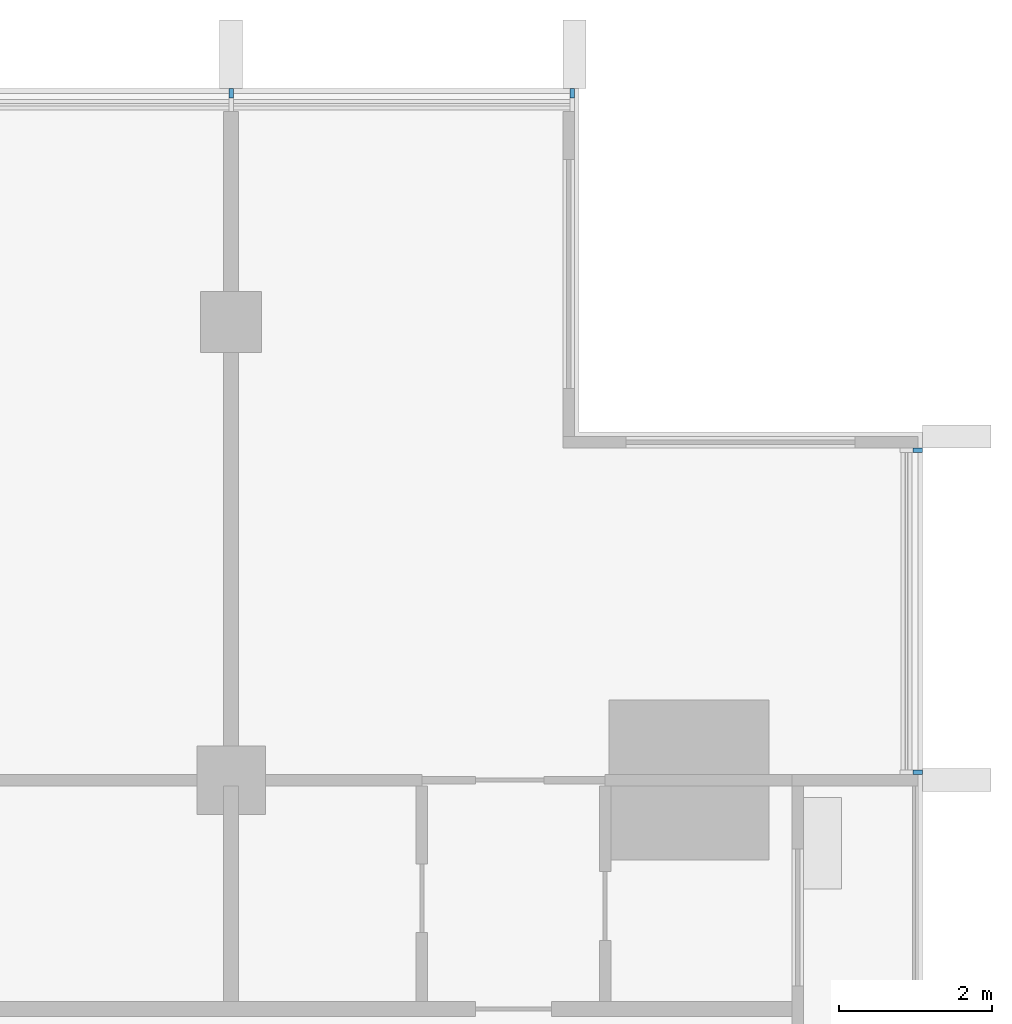
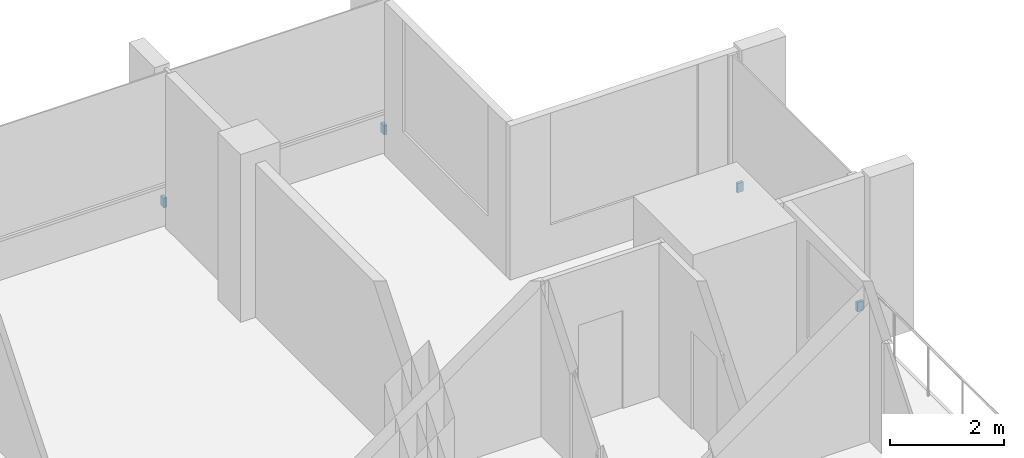
# One storey, part 15 of 16: 4 discrete accessories.
"""IFC4 building model written with IfcOpenShell, lengths in metres."""

from ifc_helpers import new_model, si_unit, direction, frame, origin, origin_2d, place, context, subcontext, project, spatial, rectangle, extrude, material, type_object, element, save


model = new_model("IFC4")

# Units and contexts
model_context = context("Model", 3, precision=1e-05, world=origin(), true_north=direction((0.0, 1.0)))
body_context = subcontext(model_context, "Body", "Model", "MODEL_VIEW")
ifc_project = project(units=[si_unit("LENGTHUNIT", "METRE"), si_unit("AREAUNIT", "SQUARE_METRE"), si_unit("VOLUMEUNIT", "CUBIC_METRE"), si_unit("PLANEANGLEUNIT", "RADIAN"), si_unit("MASSUNIT", "GRAM", prefix="KILO")], contexts=[model_context])

# Site, building, storey
site_placement = place(None, origin())
site = spatial("IfcSite", under=ifc_project, at=site_placement, CompositionType="ELEMENT")
building_placement = place(site_placement, origin())
building = spatial("IfcBuilding", under=site, at=building_placement, Name="Finial Court Residences", CompositionType="ELEMENT")
storey_placement = place(building_placement, frame((0.0, 0.0, 237.5)))
storey = spatial("IfcBuildingStorey", under=building, at=storey_placement, Name="L60", CompositionType="ELEMENT", Elevation=237.5)

# Discrete accessories
ifc_material = material(Name="Stainless steel 316", Category="steel")
discrete_accessory_type = type_object("IfcDiscreteAccessoryType", Name="Fin bracket, stainless steel 60 x 122 x 200", PredefinedType="BRACKET", material=ifc_material)
for number, where, z_axis, x_axis, name in (
    (1, (10.5, 16.498779296875, 0.2998046875), (0.0, 0.0, 1.0), (1.0, 0.0, 0.0), "E-L60-FIN-N5-BRK"),
    (2, (14.969970703125, 16.498779296875, 0.2998046875), (0.0, 0.0, 1.0), (1.0, 0.0, 0.0), "E-L60-FIN-N6-BRK"),
):
    element("IfcDiscreteAccessory", number, at=place(storey_placement, frame(where, z_axis=z_axis, x_axis=x_axis)), inside=storey, type_object=discrete_accessory_type, Name=name, PredefinedType="BRACKET", context=body_context, shape_type="SweptSolid", body=[
        extrude(rectangle(XDim=0.06005859375, YDim=0.12255859375, at=origin_2d()), origin(), (0.0, 0.0, 1.0), 0.199951171875),
    ])
for number, where, z_axis, x_axis, name in (
    (3, (19.498779296875, 7.60498046875, 0.2998046875), (0.0, 0.0, 1.0), (1.0, 0.0, 0.0), "E-L60-FIN-E11-BRK"),
    (4, (19.498779296875, 11.820068359375, 0.2998046875), (0.0, 0.0, 1.0), (1.0, 0.0, 0.0), "E-L60-FIN-E12-BRK"),
):
    element("IfcDiscreteAccessory", number, at=place(storey_placement, frame(where, z_axis=z_axis, x_axis=x_axis)), inside=storey, type_object=discrete_accessory_type, Name=name, PredefinedType="BRACKET", context=body_context, shape_type="SweptSolid", body=[
        extrude(rectangle(XDim=0.12255859375, YDim=0.06005859375, at=origin_2d()), origin(), (0.0, 0.0, 1.0), 0.199951171875),
    ])

save(model, "model.ifc")
